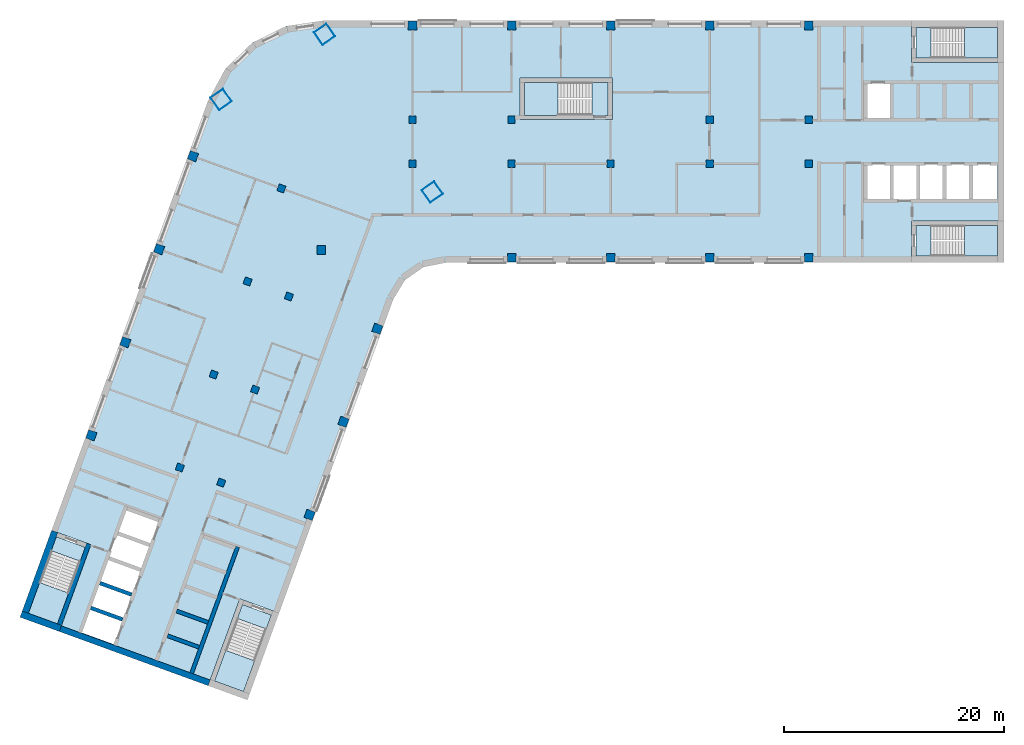
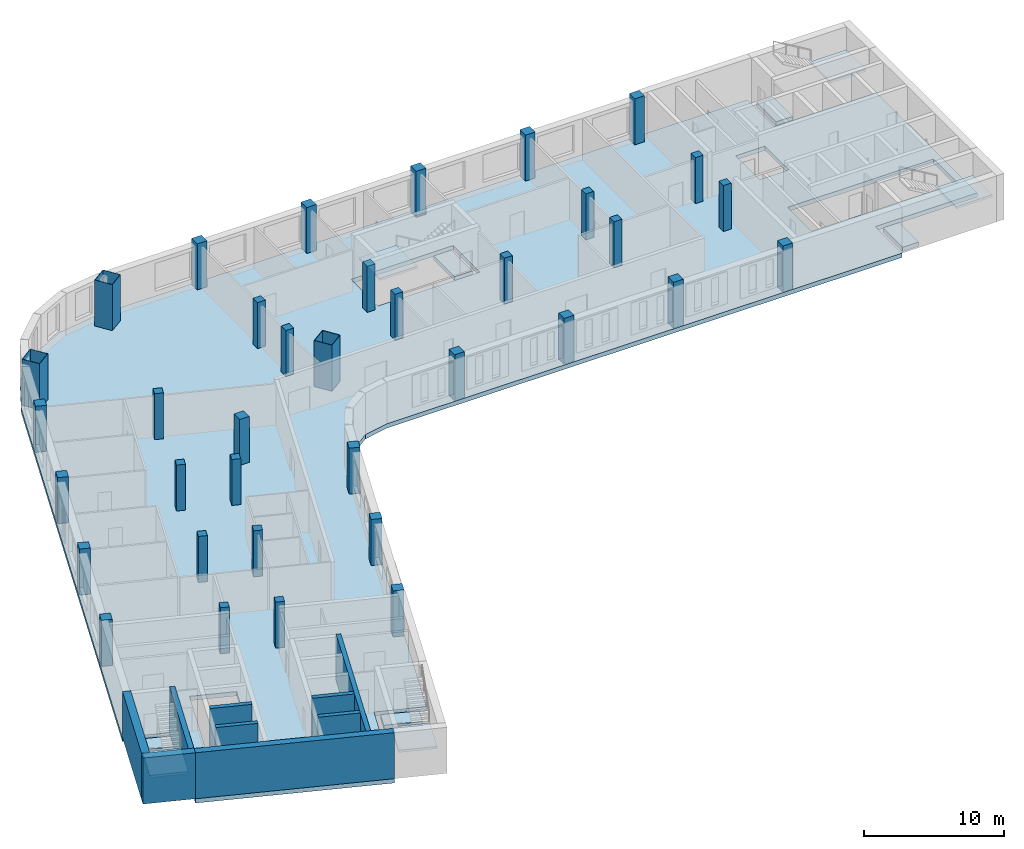
# One storey, part 1 of 8: 36 columns, 11 slabs, 9 walls, 5 elements without a shape of their own.
"""IFC4 building model written with IfcOpenShell, lengths in metres."""

from ifc_helpers import new_model, si_unit, direction, frame, frame_2d, origin, origin_2d, place, context, subcontext, project, spatial, polyline, rectangle, hollow_rectangle, outline, extrude, material, layer, layer_set, material_profile, profile_set, type_object, element, aggregate, save


model = new_model("IFC4")

# Units and contexts
model_context = context("Model", 3, precision=1e-05, world=origin(), true_north=direction((0.0, 1.0)))
body_context = subcontext(model_context, "Body", "Model", "MODEL_VIEW")
ifc_project = project(units=[si_unit("LENGTHUNIT", "METRE"), si_unit("AREAUNIT", "SQUARE_METRE"), si_unit("VOLUMEUNIT", "CUBIC_METRE"), si_unit("PLANEANGLEUNIT", "RADIAN"), si_unit("MASSUNIT", "GRAM", prefix="KILO")], contexts=[model_context])

# Site, building, storey
site_placement = place(None, origin())
site = spatial("IfcSite", under=ifc_project, at=site_placement, CompositionType="ELEMENT")
building_placement = place(site_placement, origin())
building = spatial("IfcBuilding", under=site, at=building_placement, Name="Skarvind Civic Tower", CompositionType="ELEMENT")
storey_placement = place(building_placement, frame((0.0, 0.0, 162.5)))
storey = spatial("IfcBuildingStorey", under=building, at=storey_placement, Name="L38", CompositionType="ELEMENT", Elevation=162.5)

# Columns
ifc_material_1 = material(Name="Concrete C60", Category="concrete")
ifc_material_profile_1 = material_profile(ifc_material_1, rectangle(XDim=0.64990234375, YDim=0.64990234375, at=origin_2d()), Name="RC-650x650")
ifc_profile_set_1 = profile_set([ifc_material_profile_1], Name="Concrete C60")
column_type_1 = type_object("IfcColumnType", Name="Column RC-650x650 C60", PredefinedType="COLUMN", material=ifc_profile_set_1)
for number, where, z_axis, x_axis, name in (
    (1, (54.25, 130.0, 0.0), (0.0, 0.0, 1.0), (1.0, 0.0, 0.0), "Column wing 1 north inner 02 L38"),
    (2, (63.25, 130.0, 0.0), (0.0, 0.0, 1.0), (1.0, 0.0, 0.0), "Column wing 1 north inner 03 L38"),
    (3, (81.25, 130.0, 0.0), (0.0, 0.0, 1.0), (1.0, 0.0, 0.0), "Column wing 1 north inner 05 L38"),
    (4, (90.25, 130.0, 0.0), (0.0, 0.0, 1.0), (1.0, 0.0, 0.0), "Column wing 1 north inner 06 L38"),
    (5, (54.25, 126.0, 0.0), (0.0, 0.0, 1.0), (1.0, 0.0, 0.0), "Column wing 1 south inner 02 L38"),
    (6, (63.25, 126.0, 0.0), (0.0, 0.0, 1.0), (1.0, 0.0, 0.0), "Column wing 1 south inner 03 L38"),
    (7, (72.25, 126.0, 0.0), (0.0, 0.0, 1.0), (1.0, 0.0, 0.0), "Column wing 1 south inner 04 L38"),
    (8, (81.25, 126.0, 0.0), (0.0, 0.0, 1.0), (1.0, 0.0, 0.0), "Column wing 1 south inner 05 L38"),
    (9, (90.25, 126.0, 0.0), (0.0, 0.0, 1.0), (1.0, 0.0, 0.0), "Column wing 1 south inner 06 L38"),
    (10, (43.005615234375, 113.92529296875, 0.0), (0.0, 0.0, 1.0), (-0.342020143326, -0.939692620786, 0.0), "Column wing 2 left inner 02 L38"),
    (11, (39.927490234375, 105.468017578125, 0.0), (0.0, 0.0, 1.0), (-0.342020143326, -0.939692620786, 0.0), "Column wing 2 left inner 03 L38"),
    (12, (36.84912109375, 97.010986328125, 0.0), (0.0, 0.0, 1.0), (-0.342020143326, -0.939692620786, 0.0), "Column wing 2 left inner 04 L38"),
    (13, (42.324951171875, 123.750732421875, 0.0), (0.0, 0.0, 1.0), (-0.342020143326, -0.939692620786, 0.0), "Column wing 2 right inner 01 L38"),
    (14, (39.246826171875, 115.29345703125, 0.0), (0.0, 0.0, 1.0), (-0.342020143326, -0.939692620786, 0.0), "Column wing 2 right inner 02 L38"),
    (15, (36.168701171875, 106.836181640625, 0.0), (0.0, 0.0, 1.0), (-0.342020143326, -0.939692620786, 0.0), "Column wing 2 right inner 03 L38"),
    (16, (33.090576171875, 98.37890625, 0.0), (0.0, 0.0, 1.0), (-0.342020143326, -0.939692620786, 0.0), "Column wing 2 right inner 04 L38"),
):
    element("IfcColumn", number, at=place(storey_placement, frame(where, z_axis=z_axis, x_axis=x_axis)), inside=storey, type_object=column_type_1, Name=name, PredefinedType="COLUMN", context=body_context, shape_type="SweptSolid", body=[
        extrude(rectangle(XDim=0.64990234375, YDim=0.64990234375, at=origin_2d()), origin(), (0.0, 0.0, 1.0), 4.0),
    ])
ifc_material_profile_2 = material_profile(ifc_material_1, rectangle(XDim=0.800048828125, YDim=0.800048828125, at=origin_2d()), Name="RC-800x800")
ifc_profile_set_2 = profile_set([ifc_material_profile_2], Name="Concrete C60")
column_type_2 = type_object("IfcColumnType", Name="Column RC-800x800 C60", PredefinedType="COLUMN", material=ifc_profile_set_2)
for number, where, z_axis, x_axis, name in (
    (17, (54.25, 138.550048828125, 0.0), (0.0, 0.0, 1.0), (1.0, 0.0, 0.0), "Column wing 1 north perimeter 02 L38"),
    (18, (63.25, 138.550048828125, 0.0), (0.0, 0.0, 1.0), (1.0, 0.0, 0.0), "Column wing 1 north perimeter 03 L38"),
    (19, (72.25, 138.550048828125, 0.0), (0.0, 0.0, 1.0), (1.0, 0.0, 0.0), "Column wing 1 north perimeter 04 L38"),
    (20, (81.25, 138.550048828125, 0.0), (0.0, 0.0, 1.0), (1.0, 0.0, 0.0), "Column wing 1 north perimeter 05 L38"),
    (21, (90.25, 138.550048828125, 0.0), (0.0, 0.0, 1.0), (1.0, 0.0, 0.0), "Column wing 1 north perimeter 06 L38"),
    (22, (45.95166015625, 118.151611328125, 0.0), (0.0, 0.0, 1.0), (1.0, 0.0, 0.0), "Column wing 1 south perimeter 01 L38"),
    (23, (63.25, 117.449951171875, 0.0), (0.0, 0.0, 1.0), (1.0, 0.0, 0.0), "Column wing 1 south perimeter 03 L38"),
    (24, (72.25, 117.449951171875, 0.0), (0.0, 0.0, 1.0), (1.0, 0.0, 0.0), "Column wing 1 south perimeter 04 L38"),
    (25, (81.25, 117.449951171875, 0.0), (0.0, 0.0, 1.0), (1.0, 0.0, 0.0), "Column wing 1 south perimeter 05 L38"),
    (26, (90.25, 117.449951171875, 0.0), (0.0, 0.0, 1.0), (1.0, 0.0, 0.0), "Column wing 1 south perimeter 06 L38"),
    (27, (51.0400390625, 111.0009765625, 0.0), (0.0, 0.0, 1.0), (-0.342020143326, -0.939692620786, 0.0), "Column wing 2 left perimeter 02 L38"),
    (28, (47.961669921875, 102.5439453125, 0.0), (0.0, 0.0, 1.0), (-0.342020143326, -0.939692620786, 0.0), "Column wing 2 left perimeter 03 L38"),
    (29, (44.883544921875, 94.086669921875, 0.0), (0.0, 0.0, 1.0), (-0.342020143326, -0.939692620786, 0.0), "Column wing 2 left perimeter 04 L38"),
    (30, (34.29052734375, 126.6748046875, 0.0), (0.0, 0.0, 1.0), (-0.342020143326, -0.939692620786, 0.0), "Column wing 2 right perimeter 01 L38"),
    (31, (31.21240234375, 118.2177734375, 0.0), (0.0, 0.0, 1.0), (-0.342020143326, -0.939692620786, 0.0), "Column wing 2 right perimeter 02 L38"),
    (32, (28.13427734375, 109.760498046875, 0.0), (0.0, 0.0, 1.0), (-0.342020143326, -0.939692620786, 0.0), "Column wing 2 right perimeter 03 L38"),
    (33, (25.05615234375, 101.30322265625, 0.0), (0.0, 0.0, 1.0), (-0.342020143326, -0.939692620786, 0.0), "Column wing 2 right perimeter 04 L38"),
):
    element("IfcColumn", number, at=place(storey_placement, frame(where, z_axis=z_axis, x_axis=x_axis)), inside=storey, type_object=column_type_2, Name=name, PredefinedType="COLUMN", context=body_context, shape_type="SweptSolid", body=[
        extrude(rectangle(XDim=0.800048828125, YDim=0.800048828125, at=origin_2d()), origin(), (0.0, 0.0, 1.0), 4.0),
    ])
ifc_material_2 = material(Name="Composite concrete-filled steel tube, Steel SM355 with Concrete C80", Category="concrete")
ifc_material_profile_3 = material_profile(ifc_material_2, hollow_rectangle(XDim=1.39990234375, YDim=1.39990234375, WallThickness=0.031982421875, at=origin_2d()), Name="BOX-1400x1400x32")
ifc_profile_set_3 = profile_set([ifc_material_profile_3], Name="Composite concrete-filled steel tube, Steel SM355 with Concrete C80")
column_type_3 = type_object("IfcColumnType", Name="Mega column BOX-1400x1400x32 filled C80", PredefinedType="COLUMN", material=ifc_profile_set_3)
for number, where, z_axis, x_axis, name in (
    (34, (36.845947265625, 131.837646484375, 0.0), (0.0, 0.0, 1.0), (0.573576436351, -0.819152044289, 0.0), "Mega column 1 L38"),
    (35, (46.2470703125, 137.762451171875, 0.0), (0.0, 0.0, 1.0), (0.573576436351, -0.819152044289, 0.0), "Mega column 2 L38"),
    (36, (56.0361328125, 123.43017578125, 0.0), (0.0, 0.0, 1.0), (0.573576436351, -0.819152044289, 0.0), "Mega column 4 L38"),
):
    element("IfcColumn", number, at=place(storey_placement, frame(where, z_axis=z_axis, x_axis=x_axis)), inside=storey, type_object=column_type_3, Name=name, PredefinedType="COLUMN", context=body_context, shape_type="SweptSolid", body=[
        extrude(hollow_rectangle(XDim=1.39990234375, YDim=1.39990234375, WallThickness=0.031982421875, at=origin_2d()), origin(), (0.0, 0.0, 1.0), 4.0),
    ])

# Slabs
ifc_material_3 = material(Name="Concrete C50", Category="concrete")
ifc_layer_1 = layer(ifc_material_3, 0.375)
ifc_layer_set_1 = layer_set([ifc_layer_1], Name="Floor slab 375 C50")
slab_type_1 = type_object("IfcSlabType", Name="Floor slab 375 C50", PredefinedType="FLOOR", material=ifc_layer_set_1)
slab_1_placement = place(storey_placement, frame((0.0, 0.0, -0.375)))
element("IfcSlab", 37, at=slab_1_placement, inside=storey, type_object=slab_type_1, Name="Floor slab L38 1", PredefinedType="FLOOR", context=body_context, shape_type="SweptSolid", body=[
    extrude(outline(polyline([(99.60009765625, 117.0), (99.60009765625, 120.800048828125), (108.0, 120.800048828125), (108.0, 135.199951171875), (99.60009765625, 135.199951171875), (99.60009765625, 139.0), (46.095458984375, 139.0), (42.739501953125, 138.5009765625), (39.6943359375, 137.005615234375), (37.24755859375, 134.6552734375), (35.630615234375, 131.672607421875), (19.41748046875, 87.126708984375), (21.435302734375, 92.6708984375), (25.006103515625, 91.371337890625), (22.13330078125, 83.477783203125), (36.886474609375, 78.108154296875), (35.664794921875, 78.552734375), (38.53759765625, 86.4462890625), (42.108642578125, 85.146484375), (40.0908203125, 79.602294921875), (40.0908203125, 79.602294921875), (52.493896484375, 113.68017578125), (53.560791015625, 115.421630859375), (55.23388671875, 116.593017578125), (57.235107421875, 117.0), (99.60009765625, 117.0)]), holes=[polyline([(25.671630859375, 87.9365234375), (26.492431640625, 90.19189453125), (27.313232421875, 92.447021484375), (28.134033203125, 94.702392578125), (31.3291015625, 93.53955078125), (30.50830078125, 91.2841796875), (29.6875, 89.029052734375), (28.866455078125, 86.773681640625), (28.866455078125, 86.773681640625), (28.045654296875, 84.5185546875), (27.224853515625, 82.26318359375), (24.02978515625, 83.426025390625), (24.8505859375, 85.681396484375), (25.671630859375, 87.9365234375), (25.671630859375, 87.9365234375)]), polyline([(64.0, 130.0), (64.0, 133.800048828125), (72.39990234375, 133.800048828125), (72.39990234375, 130.0), (64.0, 130.0)]), polyline([(97.800048828125, 126.0), (100.199951171875, 126.0), (102.60009765625, 126.0), (105.0, 126.0), (107.39990234375, 126.0), (107.39990234375, 122.60009765625), (105.0, 122.60009765625), (102.60009765625, 122.60009765625), (100.199951171875, 122.60009765625), (97.800048828125, 122.60009765625), (95.39990234375, 122.60009765625), (95.39990234375, 126.0), (97.800048828125, 126.0)]), polyline([(97.800048828125, 133.39990234375), (97.800048828125, 130.0), (95.39990234375, 130.0), (95.39990234375, 133.39990234375), (97.800048828125, 133.39990234375)])]), origin(), (0.0, 0.0, 1.0), 0.375),
])
ifc_material_4 = material(Name="Concrete C40/50", Category="concrete")
ifc_layer_2 = layer(ifc_material_4, 0.375)
ifc_layer_set_2 = layer_set([ifc_layer_2], Name="Stair floor landing slab 375")
slab_type_2 = type_object("IfcSlabType", Name="Stair floor landing slab 375", PredefinedType="LANDING", material=ifc_layer_set_2)
slab_2_placement = place(storey_placement, frame((0.0, 0.0, -0.375)))
element("IfcSlab", 38, at=slab_2_placement, inside=storey, type_object=slab_type_2, Name="Stair floor landing", PredefinedType="LANDING", context=body_context, shape_type="SweptSolid", body=[
    extrude(outline(polyline([(101.3505859375, 138.400634765625), (101.3505859375, 135.599365234375), (99.99951171875, 135.599365234375), (99.99951171875, 138.400634765625), (101.3505859375, 138.400634765625)])), origin(), (0.0, 0.0, 1.0), 0.375),
])
slab_3_placement = place(storey_placement, frame((0.0, 0.0, -0.375)))
element("IfcSlab", 39, at=slab_3_placement, inside=storey, type_object=slab_type_2, Name="Stair floor landing", PredefinedType="LANDING", context=body_context, shape_type="SweptSolid", body=[
    extrude(outline(polyline([(101.3505859375, 120.400634765625), (101.3505859375, 117.599365234375), (99.99951171875, 117.599365234375), (99.99951171875, 120.400634765625), (101.3505859375, 120.400634765625)])), origin(), (0.0, 0.0, 1.0), 0.375),
])
slab_4_placement = place(storey_placement, frame((0.0, 0.0, -0.375)))
element("IfcSlab", 40, at=slab_4_placement, inside=storey, type_object=slab_type_2, Name="Stair floor landing", PredefinedType="LANDING", context=body_context, shape_type="SweptSolid", body=[
    extrude(outline(polyline([(40.946533203125, 83.70654296875), (38.314208984375, 84.66455078125), (38.7763671875, 85.934326171875), (41.40869140625, 84.976318359375), (40.946533203125, 83.70654296875)])), origin(), (0.0, 0.0, 1.0), 0.375),
])
slab_5_placement = place(storey_placement, frame((0.0, 0.0, -0.375)))
element("IfcSlab", 41, at=slab_5_placement, inside=storey, type_object=slab_type_2, Name="Stair floor landing", PredefinedType="LANDING", context=body_context, shape_type="SweptSolid", body=[
    extrude(outline(polyline([(24.0322265625, 89.863037109375), (21.39990234375, 90.821044921875), (21.862060546875, 92.090576171875), (24.494384765625, 91.132568359375), (24.0322265625, 89.863037109375)])), origin(), (0.0, 0.0, 1.0), 0.375),
])
slab_6_placement = place(storey_placement, frame((0.0, 0.0, -0.375)))
element("IfcSlab", 42, at=slab_6_placement, inside=storey, type_object=slab_type_2, Name="Stair floor landing", PredefinedType="LANDING", context=body_context, shape_type="SweptSolid", body=[
    extrude(outline(polyline([(70.54931640625, 130.3994140625), (70.54931640625, 133.400634765625), (72.00048828125, 133.400634765625), (72.00048828125, 130.3994140625), (70.54931640625, 130.3994140625)])), origin(), (0.0, 0.0, 1.0), 0.375),
])

# Stair, slab
stair_type_1 = type_object("IfcStairType", Name="Exit stair, half-turn, concrete", PredefinedType="HALF_TURN_STAIR", material=ifc_material_4)
stair_1_placement = place(storey_placement, origin())
stair_1 = element("IfcStair", 43, at=stair_1_placement, inside=storey, type_object=stair_type_1, Name="Exit stair C1S", PredefinedType="HALF_TURN_STAIR")
ifc_layer_3 = layer(ifc_material_4, 0.199951171875)
ifc_layer_set_3 = layer_set([ifc_layer_3], Name="Stair half landing slab")
slab_type_3 = type_object("IfcSlabType", Name="Stair half landing slab", PredefinedType="LANDING", material=ifc_layer_set_3)
slab_7_placement = place(storey_placement, frame((0.0, 0.0, 1.800048828125)))
slab_7 = element("IfcSlab", 44, at=slab_7_placement, type_object=slab_type_3, Name="ST-C1S landing 1", PredefinedType="LANDING", context=body_context, shape_type="SweptSolid", body=[
    extrude(outline(polyline([(104.429443359375, 135.599365234375), (104.429443359375, 138.400634765625), (107.400634765625, 138.400634765625), (107.400634765625, 135.599365234375), (104.429443359375, 135.599365234375)])), origin(), (0.0, 0.0, 1.0), 0.199951171875),
])
aggregate(stair_1, [slab_7])

stair_2_placement = place(storey_placement, origin())
stair_2 = element("IfcStair", 45, at=stair_2_placement, inside=storey, type_object=stair_type_1, Name="Exit stair C1N", PredefinedType="HALF_TURN_STAIR")
slab_8_placement = place(storey_placement, frame((0.0, 0.0, 1.800048828125)))
slab_8 = element("IfcSlab", 46, at=slab_8_placement, type_object=slab_type_3, Name="ST-C1N landing 1", PredefinedType="LANDING", context=body_context, shape_type="SweptSolid", body=[
    extrude(outline(polyline([(104.429443359375, 117.599365234375), (104.429443359375, 120.400634765625), (107.400634765625, 120.400634765625), (107.400634765625, 117.599365234375), (104.429443359375, 117.599365234375)])), origin(), (0.0, 0.0, 1.0), 0.199951171875),
])
aggregate(stair_2, [slab_8])

stair_3_placement = place(storey_placement, origin())
stair_3 = element("IfcStair", 47, at=stair_3_placement, inside=storey, type_object=stair_type_1, Name="Exit stair C2S", PredefinedType="HALF_TURN_STAIR")
slab_9_placement = place(storey_placement, frame((0.0, 0.0, 1.800048828125)))
slab_9 = element("IfcSlab", 48, at=slab_9_placement, type_object=slab_type_3, Name="ST-C2S landing 1", PredefinedType="LANDING", context=body_context, shape_type="SweptSolid", body=[
    extrude(outline(polyline([(37.26123046875, 81.771484375), (39.8935546875, 80.8134765625), (38.87744140625, 78.021484375), (36.2451171875, 78.9794921875), (37.26123046875, 81.771484375)])), origin(), (0.0, 0.0, 1.0), 0.199951171875),
])
aggregate(stair_3, [slab_9])

stair_4_placement = place(storey_placement, origin())
stair_4 = element("IfcStair", 49, at=stair_4_placement, inside=storey, type_object=stair_type_1, Name="Exit stair C2N", PredefinedType="HALF_TURN_STAIR")
slab_10_placement = place(storey_placement, frame((0.0, 0.0, 1.800048828125)))
slab_10 = element("IfcSlab", 50, at=slab_10_placement, type_object=slab_type_3, Name="ST-C2N landing 1", PredefinedType="LANDING", context=body_context, shape_type="SweptSolid", body=[
    extrude(outline(polyline([(20.346923828125, 87.927734375), (22.97900390625, 86.9697265625), (21.962890625, 84.177734375), (19.33056640625, 85.1357421875), (20.346923828125, 87.927734375)])), origin(), (0.0, 0.0, 1.0), 0.199951171875),
])
aggregate(stair_4, [slab_10])

stair_type_2 = type_object("IfcStairType", Name="Exit stair 1450, half-turn, concrete", PredefinedType="HALF_TURN_STAIR", material=ifc_material_4)
stair_5_placement = place(storey_placement, origin())
stair_5 = element("IfcStair", 51, at=stair_5_placement, inside=storey, type_object=stair_type_2, Name="Exit stair CM", PredefinedType="HALF_TURN_STAIR")
slab_11_placement = place(storey_placement, frame((0.0, 0.0, 1.800048828125)))
slab_11 = element("IfcSlab", 52, at=slab_11_placement, type_object=slab_type_3, Name="ST-CM landing 1", PredefinedType="LANDING", context=body_context, shape_type="SweptSolid", body=[
    extrude(outline(polyline([(67.470703125, 133.400634765625), (67.470703125, 130.3994140625), (64.3994140625, 130.3994140625), (64.3994140625, 133.400634765625), (67.470703125, 133.400634765625)])), origin(), (0.0, 0.0, 1.0), 0.199951171875),
])
aggregate(stair_5, [slab_11])

# Walls
ifc_layer_4 = layer(ifc_material_1, 0.35009765625)
ifc_layer_set_4 = layer_set([ifc_layer_4], Name="Core wall 350 C60")
wall_type_1 = type_object("IfcWallType", Name="Core wall 350 C60", PredefinedType="SHEAR", material=ifc_layer_set_4)
wall_1_placement = place(storey_placement, frame((34.161376953125, 79.685302734375, 0.0), z_axis=(0.0, 0.0, 1.0), x_axis=(0.34201563943, 0.939694260058, 0.0)))
element("IfcWall", 53, at=wall_1_placement, inside=storey, type_object=wall_type_1, Name="Core wall C2 south lift row back L38", PredefinedType="SHEAR", context=body_context, shape_type="SweptSolid", body=[
    extrude(rectangle(XDim=12.22509765625, YDim=0.35009765625, at=frame_2d((6.112548828125, 0.0))), origin(), (0.0, 0.0, 1.0), 4.0),
])
wall_2_placement = place(storey_placement, frame((34.8349609375, 82.04736328125, 0.0), z_axis=(0.0, 0.0, 1.0), x_axis=(-0.939683528043, 0.3420451244, 0.0)))
element("IfcWall", 54, at=wall_2_placement, inside=storey, type_object=wall_type_1, Name="Core wall C2 south lift row division 1 L38", PredefinedType="SHEAR", context=body_context, shape_type="SweptSolid", body=[
    extrude(rectangle(XDim=3.050048828125, YDim=0.35009765625, at=frame_2d((1.52490234375, 0.0))), origin(), (0.0, 0.0, 1.0), 4.0),
])
wall_3_placement = place(storey_placement, frame((35.65576171875, 84.302734375, 0.0), z_axis=(0.0, 0.0, 1.0), x_axis=(-0.939709254651, 0.341974438698, 0.0)))
element("IfcWall", 55, at=wall_3_placement, inside=storey, type_object=wall_type_1, Name="Core wall C2 south lift row division 2 L38", PredefinedType="SHEAR", context=body_context, shape_type="SweptSolid", body=[
    extrude(rectangle(XDim=3.0498046875, YDim=0.35009765625, at=frame_2d((1.52490234375, 0.0))), origin(), (0.0, 0.0, 1.0), 4.0),
])
for number, where, z_axis, x_axis, name in (
    (56, (27.881103515625, 84.578369140625, 0.0), (0.0, 0.0, 1.0), (-0.939683528043, 0.3420451244, 0.0), "Core wall C2 north lift row division 1 L38"),
    (57, (28.7021484375, 86.83349609375, 0.0), (0.0, 0.0, 1.0), (-0.939692892192, 0.342019397644, 0.0), "Core wall C2 north lift row division 2 L38"),
):
    element("IfcWall", number, at=place(storey_placement, frame(where, z_axis=z_axis, x_axis=x_axis)), inside=storey, type_object=wall_type_1, Name=name, PredefinedType="SHEAR", context=body_context, shape_type="SweptSolid", body=[
        extrude(rectangle(XDim=3.050048828125, YDim=0.35009765625, at=frame_2d((1.52490234375, 0.0))), origin(), (0.0, 0.0, 1.0), 4.0),
    ])
ifc_layer_5 = layer(ifc_material_1, 0.39990234375)
ifc_layer_set_5 = layer_set([ifc_layer_5], Name="Core wall 400 C60")
wall_type_2 = type_object("IfcWallType", Name="Core wall 400 C60", PredefinedType="SHEAR", material=ifc_layer_set_5)
wall_4_placement = place(storey_placement, frame((22.150390625, 84.110107421875, 0.0), z_axis=(0.0, 0.0, 1.0), x_axis=(0.342016982193, 0.939693771338, 0.0)))
element("IfcWall", 58, at=wall_4_placement, inside=storey, type_object=wall_type_2, Name="Core wall C2 north stair inner L38", PredefinedType="SHEAR", context=body_context, shape_type="SweptSolid", body=[
    extrude(rectangle(XDim=7.800048828125, YDim=0.39990234375, at=frame_2d((3.89990234375, 0.0))), origin(), (0.0, 0.0, 1.0), 4.0),
])
ifc_layer_6 = layer(ifc_material_1, 0.550048828125)
ifc_layer_set_6 = layer_set([ifc_layer_6], Name="Core wall 550 C60")
wall_type_3 = type_object("IfcWallType", Name="Core wall 550 C60", PredefinedType="SHEAR", material=ifc_layer_set_6)
wall_5_placement = place(storey_placement, frame((35.7587890625, 78.811279296875, 0.0), z_axis=(0.0, 0.0, 1.0), x_axis=(-0.939692894512, 0.342019391267, 0.0)))
element("IfcWall", 59, at=wall_5_placement, inside=storey, type_object=wall_type_3, Name="Core wall C2 tip between the stairs L38", PredefinedType="SHEAR", context=body_context, shape_type="SweptSolid", body=[
    extrude(rectangle(XDim=14.39990234375, YDim=0.550048828125, at=frame_2d((7.199951171875, 0.0))), origin(), (0.0, 0.0, 1.0), 4.0),
])
ifc_layer_7 = layer(ifc_material_1, 0.60009765625)
ifc_layer_set_7 = layer_set([ifc_layer_7], Name="Core wall 600 C60")
wall_type_4 = type_object("IfcWallType", Name="Core wall 600 C60", PredefinedType="SHEAR", material=ifc_layer_set_7)
wall_6_placement = place(storey_placement, frame((22.23583984375, 83.759765625, 0.0), z_axis=(0.0, 0.0, 1.0), x_axis=(-0.939680822529, 0.342052557032, 0.0)))
element("IfcWall", 60, at=wall_6_placement, inside=storey, type_object=wall_type_4, Name="Core wall C2 tip at the north stair L38", PredefinedType="SHEAR", context=body_context, shape_type="SweptSolid", body=[
    extrude(rectangle(XDim=3.800048828125, YDim=0.60009765625, at=frame_2d((1.89990234375, 0.0))), origin(), (0.0, 0.0, 1.0), 4.0),
])
wall_7_placement = place(storey_placement, frame((19.049560546875, 85.23876953125, 0.0), z_axis=(0.0, 0.0, 1.0), x_axis=(0.342016982193, 0.939693771338, 0.0)))
element("IfcWall", 61, at=wall_7_placement, inside=storey, type_object=wall_type_4, Name="Core wall C2 north side at the stair L38", PredefinedType="SHEAR", context=body_context, shape_type="SweptSolid", body=[
    extrude(rectangle(XDim=7.800048828125, YDim=0.60009765625, at=frame_2d((3.89990234375, 0.0))), origin(), (0.0, 0.0, 1.0), 4.0),
])

save(model, "model.ifc")
